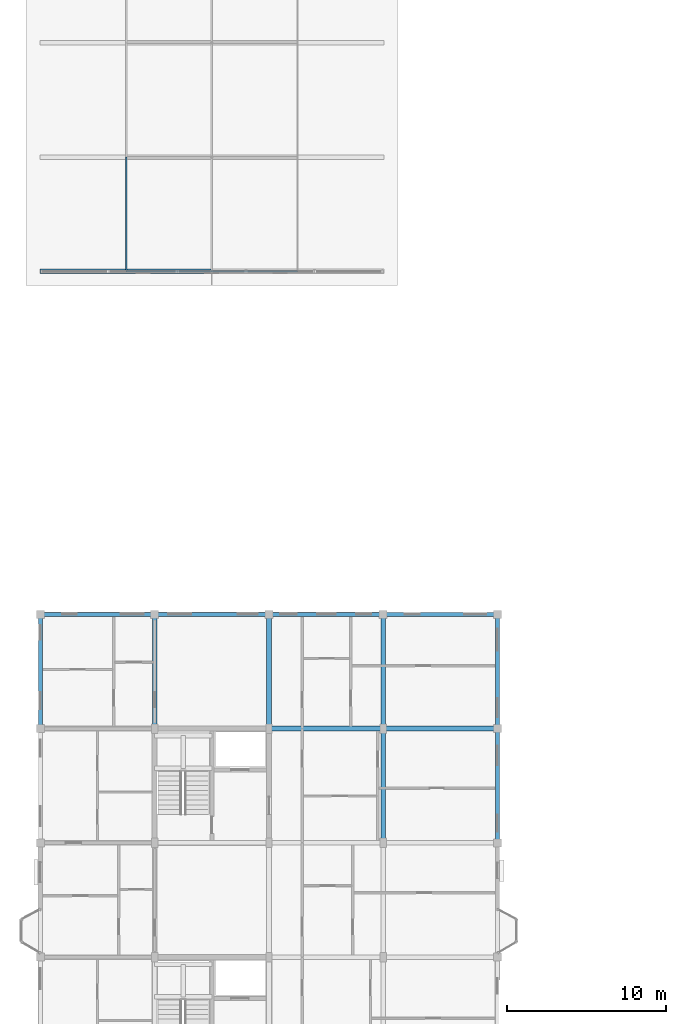
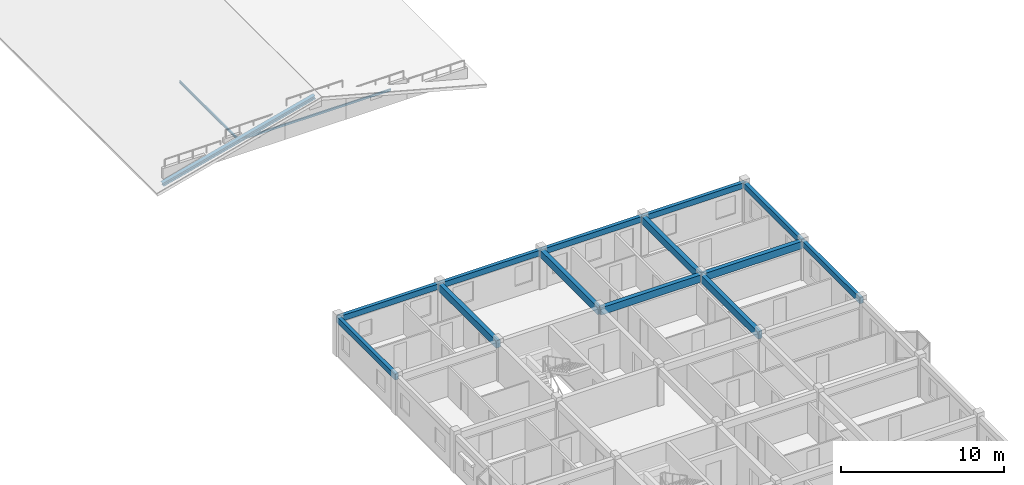
# One storey, part 13 of 65: 13 beams, 3 members.
"""IFC4 building model written with IfcOpenShell, lengths in metres."""

from ifc_helpers import new_model, si_unit, direction, frame, origin, origin_2d, place, context, subcontext, project, spatial, rectangle, hollow_rectangle, i_section, extrude, material, material_profile, profile_set, type_object, element, save


model = new_model("IFC4")

# Units and contexts
model_context = context("Model", 3, precision=1e-05, world=origin(), true_north=direction((0.0, 1.0)))
body_context = subcontext(model_context, "Body", "Model", "MODEL_VIEW")
ifc_project = project(units=[si_unit("LENGTHUNIT", "METRE"), si_unit("AREAUNIT", "SQUARE_METRE"), si_unit("VOLUMEUNIT", "CUBIC_METRE"), si_unit("PLANEANGLEUNIT", "RADIAN"), si_unit("MASSUNIT", "GRAM", prefix="KILO"), si_unit("THERMODYNAMICTEMPERATUREUNIT", "KELVIN"), si_unit("POWERUNIT", "WATT")], contexts=[model_context])

# Site, building, storey
site_placement = place(None, origin())
site = spatial("IfcSite", under=ifc_project, at=site_placement, CompositionType="ELEMENT")
building_placement = place(site_placement, origin())
building = spatial("IfcBuilding", under=site, at=building_placement, Name="Tavuni Mirador Residences", CompositionType="ELEMENT")
storey_placement = place(building_placement, frame((0.0, 0.0, 29.699951171875)))
storey = spatial("IfcBuildingStorey", under=building, at=storey_placement, Name="L09", CompositionType="ELEMENT", Elevation=29.699951171875)

# Beams
ifc_material_1 = material(Name="Precast concrete C40/50", Category="concrete")
ifc_material_profile_1 = material_profile(ifc_material_1, rectangle(XDim=0.300048828125, YDim=0.550048828125, at=origin_2d()), Name="PC 300x550", Category="concrete")
ifc_profile_set_1 = profile_set([ifc_material_profile_1], Name="Precast concrete C40/50")
beam_type_1 = type_object("IfcBeamType", Name="BT-B550", PredefinedType="BEAM", material=ifc_profile_set_1)
for number, where, z_axis, x_axis, name in (
    (1, (18.0, 36.0, 2.594970703125), (1.0, 0.0, 0.0), (0.0, 1.0, 0.0), "BMX-BLK-A-L09-02-04"),
    (2, (25.199951171875, 36.0, 2.594970703125), (1.0, 0.0, 0.0), (0.0, 1.0, 0.0), "BMX-BLK-A-L09-03-04"),
    (3, (10.800048828125, 36.0, 2.594970703125), (0.0, 1.0, 0.0), (-1.0, 0.0, 0.0), "BMY-BLK-A-L09-01-04"),
    (4, (18.0, 36.0, 2.594970703125), (0.0, 1.0, 0.0), (-1.0, 0.0, 0.0), "BMY-BLK-A-L09-02-04"),
    (5, (25.199951171875, 28.800048828125, 2.594970703125), (0.0, 1.0, 0.0), (-1.0, 0.0, 0.0), "BMY-BLK-A-L09-03-03"),
    (6, (25.199951171875, 36.0, 2.594970703125), (0.0, 1.0, 0.0), (-1.0, 0.0, 0.0), "BMY-BLK-A-L09-03-04"),
):
    element("IfcBeam", number, at=place(storey_placement, frame(where, z_axis=z_axis, x_axis=x_axis)), inside=storey, type_object=beam_type_1, Name=name, PredefinedType="BEAM", context=body_context, shape_type="SweptSolid", body=[
        extrude(rectangle(XDim=0.300048828125, YDim=0.550048828125, at=origin_2d()), origin(), (0.0, 0.0, 1.0), 7.199951171875),
    ])
ifc_material_profile_2 = material_profile(ifc_material_1, rectangle(XDim=0.25, YDim=0.419921875, at=origin_2d()), Name="PC 250x420", Category="concrete")
ifc_profile_set_2 = profile_set([ifc_material_profile_2], Name="Precast concrete C40/50")
beam_type_2 = type_object("IfcBeamType", Name="BT-SP420", PredefinedType="SPANDREL", material=ifc_profile_set_2)
for number, where, z_axis, x_axis, name in (
    (7, (3.60009765625, 43.199951171875, 2.66015625), (1.0, 0.0, 0.0), (0.0, 1.0, 0.0), "BMX-BLK-A-L09-00-05"),
    (8, (10.800048828125, 43.199951171875, 2.66015625), (1.0, 0.0, 0.0), (0.0, 1.0, 0.0), "BMX-BLK-A-L09-01-05"),
    (9, (18.0, 43.199951171875, 2.66015625), (1.0, 0.0, 0.0), (0.0, 1.0, 0.0), "BMX-BLK-A-L09-02-05"),
    (10, (25.199951171875, 43.199951171875, 2.66015625), (1.0, 0.0, 0.0), (0.0, 1.0, 0.0), "BMX-BLK-A-L09-03-05"),
    (11, (3.60009765625, 36.0, 2.66015625), (0.0, 1.0, 0.0), (-1.0, 0.0, 0.0), "BMY-BLK-A-L09-00-04"),
    (12, (32.39990234375, 28.800048828125, 2.66015625), (0.0, 1.0, 0.0), (-1.0, 0.0, 0.0), "BMY-BLK-A-L09-04-03"),
    (13, (32.39990234375, 36.0, 2.66015625), (0.0, 1.0, 0.0), (-1.0, 0.0, 0.0), "BMY-BLK-A-L09-04-04"),
):
    element("IfcBeam", number, at=place(storey_placement, frame(where, z_axis=z_axis, x_axis=x_axis)), inside=storey, type_object=beam_type_2, Name=name, PredefinedType="SPANDREL", context=body_context, shape_type="SweptSolid", body=[
        extrude(rectangle(XDim=0.25, YDim=0.419921875, at=origin_2d()), origin(), (0.0, 0.0, 1.0), 7.199951171875),
    ])

# Members
ifc_material_2 = material(Name="Structural steel S355", Category="steel")
ifc_material_profile_3 = material_profile(ifc_material_2, hollow_rectangle(XDim=0.10009765625, YDim=0.14990234375, WallThickness=0.008056640625, at=origin_2d()), Name="RHS 150x100x8.0", Category="steel")
ifc_profile_set_3 = profile_set([ifc_material_profile_3], Name="Structural steel S355")
member_type_1 = type_object("IfcMemberType", Name="MT-BR-RHS150", PredefinedType="BRACE", material=ifc_profile_set_3)
member_1_placement = place(storey_placement, frame((9.0, 64.800048828125, 1.050048828125), z_axis=(1.0, 0.0, 0.0), x_axis=(0.0, 1.0, 0.0)))
element("IfcMember", 14, at=member_1_placement, inside=storey, type_object=member_type_1, Name="RTIE-BLK-B-00", PredefinedType="BRACE", context=body_context, shape_type="SweptSolid", body=[
    extrude(hollow_rectangle(XDim=0.10009765625, YDim=0.14990234375, WallThickness=0.008056640625, at=origin_2d()), origin(), (0.0, 0.0, 1.0), 10.800048828125),
])
ifc_material_profile_4 = material_profile(ifc_material_2, i_section(OverallWidth=0.280029296875, OverallDepth=0.27001953125, WebThickness=0.008056640625, FlangeThickness=0.012939453125, FilletRadius=0.02392578125, at=origin_2d()), Name="HEA 280", Category="steel")
ifc_profile_set_4 = profile_set([ifc_material_profile_4], Name="Structural steel S355")
member_type_2 = type_object("IfcMemberType", Name="MT-CH-HEA280", PredefinedType="CHORD", material=ifc_profile_set_4)
member_2_placement = place(storey_placement, frame((3.60009765625, 64.800048828125, -0.349853515625), z_axis=(0.968000048288, 0.0, 0.250950007997), x_axis=(0.0, 1.0, 0.0)))
element("IfcMember", 15, at=member_2_placement, inside=storey, type_object=member_type_2, Name="RAF-BLK-B-00-W", PredefinedType="CHORD", context=body_context, shape_type="SweptSolid", body=[
    extrude(i_section(OverallWidth=0.280029296875, OverallDepth=0.27001953125, WebThickness=0.008056640625, FlangeThickness=0.012939453125, FilletRadius=0.02392578125, at=origin_2d()), origin(), (0.0, 0.0, 1.0), 11.15673828125),
])
ifc_material_profile_5 = material_profile(ifc_material_2, i_section(OverallWidth=0.091064453125, OverallDepth=0.179931640625, WebThickness=0.00537109375, FlangeThickness=0.008056640625, FilletRadius=0.009033203125, at=origin_2d()), Name="IPE 180", Category="steel")
ifc_profile_set_5 = profile_set([ifc_material_profile_5], Name="Structural steel S355")
member_type_3 = type_object("IfcMemberType", Name="MT-PR-IPE180", PredefinedType="PURLIN", material=ifc_profile_set_5)
member_3_placement = place(storey_placement, frame((9.0, 64.800048828125, 1.074951171875), z_axis=(0.0, 1.0, 0.0), x_axis=(-1.0, 0.0, 0.0)))
element("IfcMember", 16, at=member_3_placement, inside=storey, type_object=member_type_3, Name="RPUR-BLK-B-25-00", PredefinedType="PURLIN", context=body_context, shape_type="SweptSolid", body=[
    extrude(i_section(OverallWidth=0.091064453125, OverallDepth=0.179931640625, WebThickness=0.00537109375, FlangeThickness=0.008056640625, FilletRadius=0.009033203125, at=origin_2d()), origin(), (0.0, 0.0, 1.0), 7.199951171875),
])

save(model, "model.ifc")
